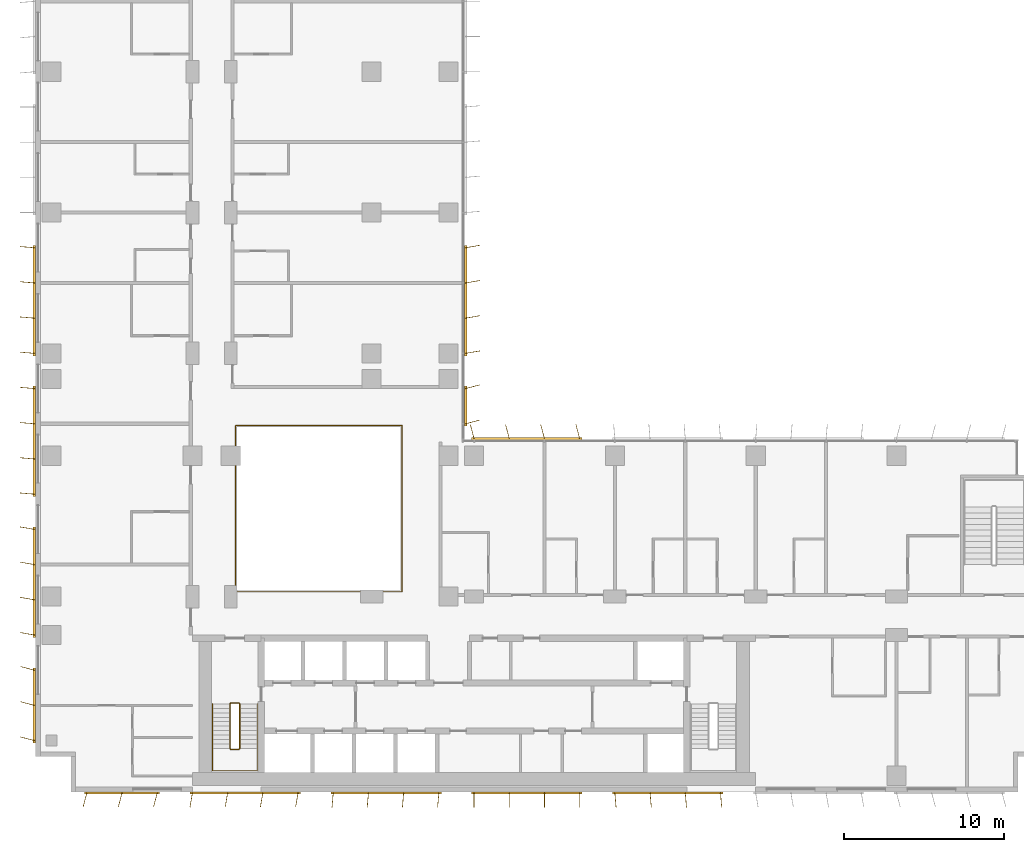
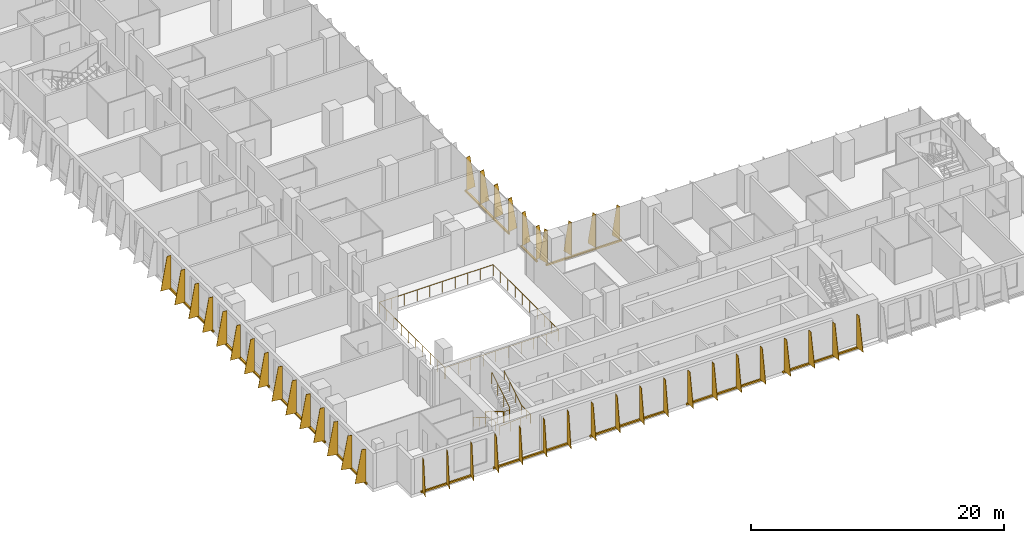
# One storey, part 20 of 23: 12 shading devices, 3 railings.
"""IFC4 building model written with IfcOpenShell, lengths in metres."""

from ifc_helpers import new_model, si_unit, direction, frame, origin, origin_2d, place, context, subcontext, project, spatial, polyline, rectangle, circle, outline, extrude, source, transform, mapped, material, layer, layer_set, type_object, element, save


model = new_model("IFC4")

# Units and contexts
model_context = context("Model", 3, precision=1e-05, world=origin(), true_north=direction((0.0, 1.0)))
body_context = subcontext(model_context, "Body", "Model", "MODEL_VIEW")
ifc_project = project(units=[si_unit("LENGTHUNIT", "METRE"), si_unit("AREAUNIT", "SQUARE_METRE"), si_unit("VOLUMEUNIT", "CUBIC_METRE"), si_unit("PLANEANGLEUNIT", "RADIAN"), si_unit("MASSUNIT", "GRAM", prefix="KILO")], contexts=[model_context])

# Site, building, storey
site_placement = place(None, origin())
site = spatial("IfcSite", under=ifc_project, at=site_placement, CompositionType="ELEMENT")
building_placement = place(site_placement, origin())
building = spatial("IfcBuilding", under=site, at=building_placement, Name="Kemantara Hotel Tower", CompositionType="ELEMENT")
storey_placement = place(building_placement, frame((0.0, 0.0, 138.300048828125)))
storey = spatial("IfcBuildingStorey", under=building, at=storey_placement, Name="L33", CompositionType="ELEMENT", Elevation=138.300048828125)

# Railings
ifc_material_1 = material(Name="Stainless steel and laminated glass balustrade", Category="steel")
railing_type_1 = type_object("IfcRailingType", Name="ATRIUM GUARD 1100", PredefinedType="GUARDRAIL", material=ifc_material_1)
railing_1_placement = place(storey_placement, frame((12.56005859375, 12.5, 0.0)))
element("IfcRailing", 1, at=railing_1_placement, inside=storey, type_object=railing_type_1, Name="ATRIUM GUARD L33", PredefinedType="GUARDRAIL", context=body_context, shape_type="SweptSolid", body=[
    extrude(circle(Radius=0.02490234375, at=origin_2d()), frame((0.0, 0.0, 1.0751953125), z_axis=(1.0, 0.0, 0.0), x_axis=(0.0, 1.0, 0.0)), (0.0, 0.0, 1.0), 10.33984375),
    extrude(circle(Radius=0.02490234375, at=origin_2d()), frame((10.33984375, 0.0, 1.0751953125), z_axis=(0.0, 1.0, 0.0), x_axis=(-1.0, 0.0, 0.0)), (0.0, 0.0, 1.0), 10.39990234375),
    extrude(circle(Radius=0.02490234375, at=origin_2d()), frame((10.33984375, 10.39990234375, 1.0751953125), z_axis=(-1.0, 0.0, 0.0), x_axis=(0.0, -1.0, 0.0)), (0.0, 0.0, 1.0), 10.39990234375),
    extrude(circle(Radius=0.02490234375, at=origin_2d()), frame((-0.06005859375, 10.39990234375, 1.0751953125), z_axis=(0.0, -1.0, 0.0), x_axis=(1.0, 0.0, 0.0)), (0.0, 0.0, 1.0), 10.39990234375),
    extrude(circle(Radius=0.02001953125, at=origin_2d()), origin(), (0.0, 0.0, 1.0), 1.050048828125),
    extrude(circle(Radius=0.02001953125, at=origin_2d()), frame((1.14892578125, 0.0, 0.0)), (0.0, 0.0, 1.0), 1.050048828125),
    extrude(circle(Radius=0.02001953125, at=origin_2d()), frame((2.2978515625, 0.0, 0.0)), (0.0, 0.0, 1.0), 1.050048828125),
    extrude(circle(Radius=0.02001953125, at=origin_2d()), frame((3.446533203125, 0.0, 0.0)), (0.0, 0.0, 1.0), 1.050048828125),
    extrude(circle(Radius=0.02001953125, at=origin_2d()), frame((4.595458984375, 0.0, 0.0)), (0.0, 0.0, 1.0), 1.050048828125),
    extrude(circle(Radius=0.02001953125, at=origin_2d()), frame((5.744384765625, 0.0, 0.0)), (0.0, 0.0, 1.0), 1.050048828125),
    extrude(circle(Radius=0.02001953125, at=origin_2d()), frame((6.893310546875, 0.0, 0.0)), (0.0, 0.0, 1.0), 1.050048828125),
    extrude(circle(Radius=0.02001953125, at=origin_2d()), frame((8.0419921875, 0.0, 0.0)), (0.0, 0.0, 1.0), 1.050048828125),
    extrude(circle(Radius=0.02001953125, at=origin_2d()), frame((9.19091796875, 0.0, 0.0)), (0.0, 0.0, 1.0), 1.050048828125),
    extrude(circle(Radius=0.02001953125, at=origin_2d()), frame((10.33984375, 0.0, 0.0)), (0.0, 0.0, 1.0), 1.050048828125),
    extrude(circle(Radius=0.02001953125, at=origin_2d()), frame((10.33984375, 1.155517578125, 0.0)), (0.0, 0.0, 1.0), 1.050048828125),
    extrude(circle(Radius=0.02001953125, at=origin_2d()), frame((10.33984375, 2.31103515625, 0.0)), (0.0, 0.0, 1.0), 1.050048828125),
    extrude(circle(Radius=0.02001953125, at=origin_2d()), frame((10.33984375, 3.466552734375, 0.0)), (0.0, 0.0, 1.0), 1.050048828125),
    extrude(circle(Radius=0.02001953125, at=origin_2d()), frame((10.33984375, 4.6220703125, 0.0)), (0.0, 0.0, 1.0), 1.050048828125),
    extrude(circle(Radius=0.02001953125, at=origin_2d()), frame((10.33984375, 5.77783203125, 0.0)), (0.0, 0.0, 1.0), 1.050048828125),
    extrude(circle(Radius=0.02001953125, at=origin_2d()), frame((10.33984375, 6.933349609375, 0.0)), (0.0, 0.0, 1.0), 1.050048828125),
    extrude(circle(Radius=0.02001953125, at=origin_2d()), frame((10.33984375, 8.0888671875, 0.0)), (0.0, 0.0, 1.0), 1.050048828125),
    extrude(circle(Radius=0.02001953125, at=origin_2d()), frame((10.33984375, 9.244384765625, 0.0)), (0.0, 0.0, 1.0), 1.050048828125),
    extrude(circle(Radius=0.02001953125, at=origin_2d()), frame((10.33984375, 10.39990234375, 0.0)), (0.0, 0.0, 1.0), 1.050048828125),
    extrude(circle(Radius=0.02001953125, at=origin_2d()), frame((9.184326171875, 10.39990234375, 0.0)), (0.0, 0.0, 1.0), 1.050048828125),
    extrude(circle(Radius=0.02001953125, at=origin_2d()), frame((8.02880859375, 10.39990234375, 0.0)), (0.0, 0.0, 1.0), 1.050048828125),
    extrude(circle(Radius=0.02001953125, at=origin_2d()), frame((6.873291015625, 10.39990234375, 0.0)), (0.0, 0.0, 1.0), 1.050048828125),
    extrude(circle(Radius=0.02001953125, at=origin_2d()), frame((5.7177734375, 10.39990234375, 0.0)), (0.0, 0.0, 1.0), 1.050048828125),
    extrude(circle(Radius=0.02001953125, at=origin_2d()), frame((4.56201171875, 10.39990234375, 0.0)), (0.0, 0.0, 1.0), 1.050048828125),
    extrude(circle(Radius=0.02001953125, at=origin_2d()), frame((3.406494140625, 10.39990234375, 0.0)), (0.0, 0.0, 1.0), 1.050048828125),
    extrude(circle(Radius=0.02001953125, at=origin_2d()), frame((2.2509765625, 10.39990234375, 0.0)), (0.0, 0.0, 1.0), 1.050048828125),
    extrude(circle(Radius=0.02001953125, at=origin_2d()), frame((1.095458984375, 10.39990234375, 0.0)), (0.0, 0.0, 1.0), 1.050048828125),
    extrude(circle(Radius=0.02001953125, at=origin_2d()), frame((-0.06005859375, 10.39990234375, 0.0)), (0.0, 0.0, 1.0), 1.050048828125),
    extrude(circle(Radius=0.02001953125, at=origin_2d()), frame((-0.06005859375, 9.244384765625, 0.0)), (0.0, 0.0, 1.0), 1.050048828125),
    extrude(circle(Radius=0.02001953125, at=origin_2d()), frame((-0.06005859375, 8.0888671875, 0.0)), (0.0, 0.0, 1.0), 1.050048828125),
    extrude(circle(Radius=0.02001953125, at=origin_2d()), frame((-0.06005859375, 6.933349609375, 0.0)), (0.0, 0.0, 1.0), 1.050048828125),
    extrude(circle(Radius=0.02001953125, at=origin_2d()), frame((-0.06005859375, 5.77783203125, 0.0)), (0.0, 0.0, 1.0), 1.050048828125),
    extrude(circle(Radius=0.02001953125, at=origin_2d()), frame((-0.06005859375, 4.6220703125, 0.0)), (0.0, 0.0, 1.0), 1.050048828125),
    extrude(circle(Radius=0.02001953125, at=origin_2d()), frame((-0.06005859375, 3.466552734375, 0.0)), (0.0, 0.0, 1.0), 1.050048828125),
    extrude(circle(Radius=0.02001953125, at=origin_2d()), frame((-0.06005859375, 2.31103515625, 0.0)), (0.0, 0.0, 1.0), 1.050048828125),
    extrude(circle(Radius=0.02001953125, at=origin_2d()), frame((-0.06005859375, 1.155517578125, 0.0)), (0.0, 0.0, 1.0), 1.050048828125),
    extrude(circle(Radius=0.02001953125, at=origin_2d()), frame((-0.06005859375, 0.0, 0.0)), (0.0, 0.0, 1.0), 1.050048828125),
])
ifc_material_2 = material(Name="Stainless steel balustrade", Category="steel")
railing_type_2 = type_object("IfcRailingType", Name="Stair guard 1100 mm", PredefinedType="GUARDRAIL", material=ifc_material_2)
railing_2_placement = place(storey_placement, frame((12.75, 5.5, 3.699951171875)))
element("IfcRailing", 2, at=railing_2_placement, inside=storey, type_object=railing_type_2, Name="L33 ST1 stair guard 1", PredefinedType="GUARDRAIL", context=body_context, shape_type="SweptSolid", body=[
    extrude(circle(Radius=0.02392578125, at=origin_2d()), frame((0.0, 0.0, 1.076171875), z_axis=(0.0, -0.857242210791, -0.514913383045), x_axis=(1.0, 0.0, 0.0)), (0.0, 0.0, 1.0), 3.266357421875),
    extrude(circle(Radius=0.02392578125, at=origin_2d()), frame((0.0, -2.800048828125, -0.60595703125), z_axis=(-0.274243871929, -0.274243871929, -0.92172696468), x_axis=(0.707106781187, -0.707106781187, 0.0)), (0.0, 0.0, 1.0), 0.1826171875),
    extrude(circle(Radius=0.02392578125, at=origin_2d()), frame((-0.050048828125, -2.85009765625, -0.77392578125), z_axis=(-1.0, 0.0, 0.0), x_axis=(0.0, -1.0, 0.0)), (0.0, 0.0, 1.0), 0.5),
    extrude(circle(Radius=0.02392578125, at=origin_2d()), frame((-0.550048828125, -2.85009765625, -0.77392578125), z_axis=(-0.707106781187, 0.707106781187, 0.0), x_axis=(-0.707106781187, -0.707106781187, 0.0)), (0.0, 0.0, 1.0), 0.07080078125),
    extrude(circle(Radius=0.02392578125, at=origin_2d()), frame((-0.60009765625, -2.800048828125, -0.77392578125), z_axis=(0.0, 0.857275202839, -0.514858452973), x_axis=(-1.0, 0.0, 0.0)), (0.0, 0.0, 1.0), 3.26611328125),
    extrude(circle(Radius=0.02392578125, at=origin_2d()), frame((-0.60009765625, 0.0, -2.45556640625), z_axis=(0.274243871929, 0.274243871929, -0.92172696468), x_axis=(-0.707106781187, 0.707106781187, 0.0)), (0.0, 0.0, 1.0), 0.1826171875),
    extrude(circle(Radius=0.02392578125, at=origin_2d()), frame((-0.550048828125, 0.050048828125, -2.6240234375), z_axis=(1.0, 0.0, 0.0), x_axis=(0.0, 1.0, 0.0)), (0.0, 0.0, 1.0), 0.5),
    extrude(circle(Radius=0.02099609375, at=origin_2d()), origin(), (0.0, 0.0, 1.0), 1.052001953125),
    extrude(circle(Radius=0.02099609375, at=origin_2d()), frame((0.0, -0.933349609375, -0.560546875)), (0.0, 0.0, 1.0), 1.052001953125),
    extrude(circle(Radius=0.02099609375, at=origin_2d()), frame((0.0, -1.86669921875, -1.121337890625)), (0.0, 0.0, 1.0), 1.052001953125),
    extrude(circle(Radius=0.02099609375, at=origin_2d()), frame((0.0, -2.800048828125, -1.681884765625)), (0.0, 0.0, 1.0), 1.052001953125),
    extrude(circle(Radius=0.02099609375, at=origin_2d()), frame((-0.050048828125, -2.85009765625, -1.85009765625)), (0.0, 0.0, 1.0), 1.052001953125),
    extrude(circle(Radius=0.02099609375, at=origin_2d()), frame((-0.550048828125, -2.85009765625, -1.85009765625)), (0.0, 0.0, 1.0), 1.052001953125),
    extrude(circle(Radius=0.02099609375, at=origin_2d()), frame((-0.60009765625, -2.800048828125, -1.85009765625)), (0.0, 0.0, 1.0), 1.052001953125),
    extrude(circle(Radius=0.02099609375, at=origin_2d()), frame((-0.60009765625, -1.86669921875, -2.41064453125)), (0.0, 0.0, 1.0), 1.052001953125),
    extrude(circle(Radius=0.02099609375, at=origin_2d()), frame((-0.60009765625, -0.933349609375, -2.97119140625)), (0.0, 0.0, 1.0), 1.052001953125),
    extrude(circle(Radius=0.02099609375, at=origin_2d()), frame((-0.60009765625, 0.0, -3.53173828125)), (0.0, 0.0, 1.0), 1.052001953125),
    extrude(circle(Radius=0.02099609375, at=origin_2d()), frame((-0.550048828125, 0.050048828125, -3.699951171875)), (0.0, 0.0, 1.0), 1.052001953125),
    extrude(circle(Radius=0.02099609375, at=origin_2d()), frame((-0.050048828125, 0.050048828125, -3.699951171875)), (0.0, 0.0, 1.0), 1.052001953125),
])
railing_type_3 = type_object("IfcRailingType", Name="Stair handrail 900 mm", PredefinedType="HANDRAIL", material=ifc_material_2)
railing_3_placement = place(storey_placement, frame((11.050048828125, 5.5, 0.168212890625)))
element("IfcRailing", 3, at=railing_3_placement, inside=storey, type_object=railing_type_3, Name="L33 ST1 stair handrail 1", PredefinedType="HANDRAIL", context=body_context, shape_type="SweptSolid", body=[
    extrude(circle(Radius=0.02392578125, at=origin_2d()), frame((0.0, 0.0, 0.8759765625), z_axis=(0.0, -0.857275202839, 0.514858452973), x_axis=(1.0, 0.0, 0.0)), (0.0, 0.0, 1.0), 3.26611328125),
    extrude(circle(Radius=0.02392578125, at=origin_2d()), frame((0.0, -2.800048828125, 2.5576171875), z_axis=(0.0, -1.0, 0.0), x_axis=(1.0, 0.0, 0.0)), (0.0, 0.0, 1.0), 1.3798828125),
    extrude(circle(Radius=0.02392578125, at=origin_2d()), frame((0.0, -4.179931640625, 2.5576171875), z_axis=(0.998200367801, 0.0, 0.059966871865), x_axis=(0.0, 1.0, 0.0)), (0.0, 0.0, 1.0), 2.80517578125),
    extrude(circle(Radius=0.02392578125, at=origin_2d()), frame((2.800048828125, -4.179931640625, 2.7255859375), z_axis=(0.0, 1.0, 0.0), x_axis=(-1.0, 0.0, 0.0)), (0.0, 0.0, 1.0), 1.3798828125),
    extrude(circle(Radius=0.02392578125, at=origin_2d()), frame((2.800048828125, -2.800048828125, 2.7255859375), z_axis=(0.0, 0.857242210791, 0.514913383045), x_axis=(-1.0, 0.0, 0.0)), (0.0, 0.0, 1.0), 3.266357421875),
    extrude(circle(Radius=0.02099609375, at=origin_2d()), origin(), (0.0, 0.0, 1.0), 0.851806640625),
    extrude(circle(Radius=0.02099609375, at=origin_2d()), frame((0.0, -0.933349609375, 0.560546875)), (0.0, 0.0, 1.0), 0.851806640625),
    extrude(circle(Radius=0.02099609375, at=origin_2d()), frame((0.0, -1.86669921875, 1.12109375)), (0.0, 0.0, 1.0), 0.851806640625),
    extrude(circle(Radius=0.02099609375, at=origin_2d()), frame((0.0, -2.800048828125, 1.681640625)), (0.0, 0.0, 1.0), 0.851806640625),
    extrude(circle(Radius=0.02099609375, at=origin_2d()), frame((0.0, -3.489990234375, 1.681640625)), (0.0, 0.0, 1.0), 0.851806640625),
    extrude(circle(Radius=0.02099609375, at=origin_2d()), frame((0.0, -4.179931640625, 1.681640625)), (0.0, 0.0, 1.0), 0.851806640625),
    extrude(circle(Radius=0.02099609375, at=origin_2d()), frame((0.933349609375, -4.179931640625, 1.73779296875)), (0.0, 0.0, 1.0), 0.851806640625),
    extrude(circle(Radius=0.02099609375, at=origin_2d()), frame((1.86669921875, -4.179931640625, 1.793701171875)), (0.0, 0.0, 1.0), 0.851806640625),
    extrude(circle(Radius=0.02099609375, at=origin_2d()), frame((2.800048828125, -4.179931640625, 1.849853515625)), (0.0, 0.0, 1.0), 0.851806640625),
    extrude(circle(Radius=0.02099609375, at=origin_2d()), frame((2.800048828125, -3.489990234375, 1.849853515625)), (0.0, 0.0, 1.0), 0.851806640625),
    extrude(circle(Radius=0.02099609375, at=origin_2d()), frame((2.800048828125, -2.800048828125, 1.849853515625)), (0.0, 0.0, 1.0), 0.851806640625),
    extrude(circle(Radius=0.02099609375, at=origin_2d()), frame((2.800048828125, -1.86669921875, 2.410400390625)), (0.0, 0.0, 1.0), 0.851806640625),
    extrude(circle(Radius=0.02099609375, at=origin_2d()), frame((2.800048828125, -0.933349609375, 2.97119140625)), (0.0, 0.0, 1.0), 0.851806640625),
    extrude(circle(Radius=0.02099609375, at=origin_2d()), frame((2.800048828125, 0.0, 3.53173828125)), (0.0, 0.0, 1.0), 0.851806640625),
])

# Shading devices
ifc_material_3 = material(Name="Perforated aluminium plate 4 mm bronze anodised", Category="aluminium")
ifc_layer_1 = layer(ifc_material_3, 0.0400390625)
ifc_layer_set_1 = layer_set([ifc_layer_1], Name="Perforated aluminium plate 4 mm bronze anodised")
shading_device_type_1 = type_object("IfcShadingDeviceType", Name="SCREEN FIN CASSETTE, 3 BLADES AT -15.0 DEG, 3200 HIGH", PredefinedType="USERDEFINED", material=ifc_layer_set_1)
shared_shape_1 = source(origin(), body_context, "Body", "SweptSolid", [
    extrude(rectangle(XDim=4.699951171875, YDim=0.14990234375, at=origin_2d()), frame((2.199951171875, -0.074951171875, -0.14990234375), z_axis=(0.0, 0.0, 1.0), x_axis=(1.0, 0.0, 0.0)), (0.0, 0.0, 1.0), 0.14990234375),
    extrude(outline(polyline([(0.0, 0.0), (0.89990234375, 0.0), (0.35009765625, 3.199951171875), (0.0, 3.199951171875), (0.0, 0.0)])), frame((0.019287109375, -0.080078125, 0.0), z_axis=(-0.966437683387, 0.256901156343, 0.0), x_axis=(-0.256901156343, -0.966437683387, 0.0)), (0.0, 0.0, 1.0), 0.039794921875),
    extrude(outline(polyline([(0.0, 0.0), (0.89990234375, 0.0), (0.35009765625, 3.199951171875), (0.0, 3.199951171875), (0.0, 0.0)])), frame((2.21923828125, -0.080078125, 0.0), z_axis=(-0.966437683387, 0.256901156343, 0.0), x_axis=(-0.256901156343, -0.966437683387, 0.0)), (0.0, 0.0, 1.0), 0.039794921875),
    extrude(outline(polyline([(0.0, 0.0), (0.89990234375, 0.0), (0.35009765625, 3.199951171875), (0.0, 3.199951171875), (0.0, 0.0)])), frame((4.41943359375, -0.080078125, 0.0), z_axis=(-0.966837822169, 0.255391122837, 0.0), x_axis=(-0.255391122837, -0.966837822169, 0.0)), (0.0, 0.0, 1.0), 0.0400390625),
])
for number, where, z_axis, x_axis, name in (
    (4, (0.0, 7.60009765625, 0.099853515625), (0.0, 0.0, 1.0), (0.0, -1.0, 0.0), "SCREEN FIN CASSETTE L33 T2-R04-9"),
    (5, (3.199951171875, 0.0, 0.099853515625), (0.0, 0.0, 1.0), (1.0, 0.0, 0.0), "SCREEN FIN CASSETTE L33 T2-R07-1"),
):
    element("IfcShadingDevice", number, at=place(storey_placement, frame(where, z_axis=z_axis, x_axis=x_axis)), inside=storey, type_object=shading_device_type_1, Name=name, ObjectType="SCREEN FIN", PredefinedType="USERDEFINED", context=body_context, shape_type="MappedRepresentation", body=[
        mapped(shared_shape_1, transform((0.0, 0.0, 0.0))),
    ])
ifc_layer_2 = layer(ifc_material_3, 0.0400390625)
ifc_layer_set_2 = layer_set([ifc_layer_2], Name="Perforated aluminium plate 4 mm bronze anodised")
shading_device_type_2 = type_object("IfcShadingDeviceType", Name="SCREEN FIN CASSETTE, 4 BLADES AT -10.0 DEG, 3200 HIGH", PredefinedType="USERDEFINED", material=ifc_layer_set_2)
shared_shape_2 = source(origin(), body_context, "Body", "SweptSolid", [
    extrude(rectangle(XDim=6.89990234375, YDim=0.14990234375, at=origin_2d()), frame((3.300048828125, -0.074951171875, -0.14990234375), z_axis=(0.0, 0.0, 1.0), x_axis=(1.0, 0.0, 0.0)), (0.0, 0.0, 1.0), 0.14990234375),
    extrude(outline(polyline([(0.0, 0.0), (0.89990234375, 0.0), (0.35009765625, 3.199951171875), (0.0, 3.199951171875), (0.0, 0.0)])), frame((0.019775390625, -0.078369140625, 0.0), z_axis=(-0.985389793052, 0.170314285219, 0.0), x_axis=(-0.170314285219, -0.985389793052, 0.0)), (0.0, 0.0, 1.0), 0.0400390625),
    extrude(outline(polyline([(0.0, 0.0), (0.89990234375, 0.0), (0.35009765625, 3.199951171875), (0.0, 3.199951171875), (0.0, 0.0)])), frame((2.2197265625, -0.078369140625, 0.0), z_axis=(-0.98521175482, 0.171341174751, 0.0), x_axis=(-0.171341174751, -0.98521175482, 0.0)), (0.0, 0.0, 1.0), 0.039794921875),
    extrude(outline(polyline([(0.0, 0.0), (0.89990234375, 0.0), (0.35009765625, 3.199951171875), (0.0, 3.199951171875), (0.0, 0.0)])), frame((4.419677734375, -0.078369140625, 0.0), z_axis=(-0.98521175482, 0.171341174751, 0.0), x_axis=(-0.171341174751, -0.98521175482, 0.0)), (0.0, 0.0, 1.0), 0.039794921875),
    extrude(outline(polyline([(0.0, 0.0), (0.89990234375, 0.0), (0.35009765625, 3.199951171875), (0.0, 3.199951171875), (0.0, 0.0)])), frame((6.61962890625, -0.078369140625, 0.0), z_axis=(-0.98521175482, 0.171341174751, 0.0), x_axis=(-0.171341174751, -0.98521175482, 0.0)), (0.0, 0.0, 1.0), 0.039794921875),
])
for number, where, z_axis, x_axis, name in (
    (6, (0.0, 16.39990234375, 0.099853515625), (0.0, 0.0, 1.0), (0.0, -1.0, 0.0), "SCREEN FIN CASSETTE L33 T2-R04-8"),
    (7, (9.800048828125, 0.0, 0.099853515625), (0.0, 0.0, 1.0), (1.0, 0.0, 0.0), "SCREEN FIN CASSETTE L33 T2-R07-2"),
):
    element("IfcShadingDevice", number, at=place(storey_placement, frame(where, z_axis=z_axis, x_axis=x_axis)), inside=storey, type_object=shading_device_type_2, Name=name, ObjectType="SCREEN FIN", PredefinedType="USERDEFINED", context=body_context, shape_type="MappedRepresentation", body=[
        mapped(shared_shape_2, transform((0.0, 0.0, 0.0))),
    ])
ifc_layer_3 = layer(ifc_material_3, 0.0400390625)
ifc_layer_set_3 = layer_set([ifc_layer_3], Name="Perforated aluminium plate 4 mm bronze anodised")
shading_device_type_3 = type_object("IfcShadingDeviceType", Name="SCREEN FIN CASSETTE, 4 BLADES AT -5.0 DEG, 3200 HIGH", PredefinedType="USERDEFINED", material=ifc_layer_set_3)
shared_shape_3 = source(origin(), body_context, "Body", "SweptSolid", [
    extrude(rectangle(XDim=6.89990234375, YDim=0.14990234375, at=origin_2d()), frame((3.300048828125, -0.074951171875, -0.14990234375), z_axis=(0.0, 0.0, 1.0), x_axis=(1.0, 0.0, 0.0)), (0.0, 0.0, 1.0), 0.14990234375),
    extrude(outline(polyline([(0.0, 0.0), (0.89990234375, 0.0), (0.35009765625, 3.199951171875), (0.0, 3.199951171875), (0.0, 0.0)])), frame((0.02001953125, -0.07666015625, 0.0), z_axis=(-0.996376129781, 0.085056498884, 0.0), x_axis=(-0.085056498884, -0.996376129781, 0.0)), (0.0, 0.0, 1.0), 0.040283203125),
    extrude(outline(polyline([(0.0, 0.0), (0.89990234375, 0.0), (0.35009765625, 3.199951171875), (0.0, 3.199951171875), (0.0, 0.0)])), frame((2.219970703125, -0.07666015625, 0.0), z_axis=(-0.996331773833, 0.085574508182, 0.0), x_axis=(-0.085574508182, -0.996331773833, 0.0)), (0.0, 0.0, 1.0), 0.0400390625),
    extrude(outline(polyline([(0.0, 0.0), (0.89990234375, 0.0), (0.35009765625, 3.199951171875), (0.0, 3.199951171875), (0.0, 0.0)])), frame((4.419921875, -0.07666015625, 0.0), z_axis=(-0.996331773833, 0.085574508182, 0.0), x_axis=(-0.085574508182, -0.996331773833, 0.0)), (0.0, 0.0, 1.0), 0.0400390625),
    extrude(outline(polyline([(0.0, 0.0), (0.89990234375, 0.0), (0.35009765625, 3.199951171875), (0.0, 3.199951171875), (0.0, 0.0)])), frame((6.619873046875, -0.07666015625, 0.0), z_axis=(-0.996331773833, 0.085574508182, 0.0), x_axis=(-0.085574508182, -0.996331773833, 0.0)), (0.0, 0.0, 1.0), 0.0400390625),
])
for number, where, z_axis, x_axis, name in (
    (8, (0.0, 34.0, 0.099853515625), (0.0, 0.0, 1.0), (0.0, -1.0, 0.0), "SCREEN FIN CASSETTE L33 T2-R04-6"),
    (9, (0.0, 25.199951171875, 0.099853515625), (0.0, 0.0, 1.0), (0.0, -1.0, 0.0), "SCREEN FIN CASSETTE L33 T2-R04-7"),
    (10, (18.60009765625, 0.0, 0.099853515625), (0.0, 0.0, 1.0), (1.0, 0.0, 0.0), "SCREEN FIN CASSETTE L33 T2-R07-3"),
):
    element("IfcShadingDevice", number, at=place(storey_placement, frame(where, z_axis=z_axis, x_axis=x_axis)), inside=storey, type_object=shading_device_type_3, Name=name, ObjectType="SCREEN FIN", PredefinedType="USERDEFINED", context=body_context, shape_type="MappedRepresentation", body=[
        mapped(shared_shape_3, transform((0.0, 0.0, 0.0))),
    ])
ifc_layer_4 = layer(ifc_material_3, 0.0400390625)
ifc_layer_set_4 = layer_set([ifc_layer_4], Name="Perforated aluminium plate 4 mm bronze anodised")
shading_device_type_4 = type_object("IfcShadingDeviceType", Name="SCREEN FIN CASSETTE, 4 BLADES AT +0.0 DEG, 3200 HIGH", PredefinedType="USERDEFINED", material=ifc_layer_set_4)
shared_shape_4 = source(origin(), body_context, "Body", "SweptSolid", [
    extrude(rectangle(XDim=6.89990234375, YDim=0.14990234375, at=origin_2d()), frame((3.300048828125, -0.074951171875, -0.14990234375), z_axis=(0.0, 0.0, 1.0), x_axis=(1.0, 0.0, 0.0)), (0.0, 0.0, 1.0), 0.14990234375),
    extrude(outline(polyline([(0.0, 0.0), (0.89990234375, 0.0), (0.35009765625, 3.199951171875), (0.0, 3.199951171875), (0.0, 0.0)])), frame((0.02001953125, -0.074951171875, 0.0), z_axis=(-1.0, 0.0, 0.0), x_axis=(0.0, -1.0, 0.0)), (0.0, 0.0, 1.0), 0.0400390625),
    extrude(outline(polyline([(0.0, 0.0), (0.89990234375, 0.0), (0.35009765625, 3.199951171875), (0.0, 3.199951171875), (0.0, 0.0)])), frame((2.219970703125, -0.074951171875, 0.0), z_axis=(-1.0, 0.0, 0.0), x_axis=(0.0, -1.0, 0.0)), (0.0, 0.0, 1.0), 0.0400390625),
    extrude(outline(polyline([(0.0, 0.0), (0.89990234375, 0.0), (0.35009765625, 3.199951171875), (0.0, 3.199951171875), (0.0, 0.0)])), frame((4.419921875, -0.074951171875, 0.0), z_axis=(-1.0, 0.0, 0.0), x_axis=(0.0, -1.0, 0.0)), (0.0, 0.0, 1.0), 0.0400390625),
    extrude(outline(polyline([(0.0, 0.0), (0.89990234375, 0.0), (0.35009765625, 3.199951171875), (0.0, 3.199951171875), (0.0, 0.0)])), frame((6.6201171875, -0.074951171875, 0.0), z_axis=(-1.0, 0.0, 0.0), x_axis=(0.0, -1.0, 0.0)), (0.0, 0.0, 1.0), 0.0400390625),
])
shading_device_1_placement = place(storey_placement, frame((27.39990234375, 0.0, 0.099853515625), z_axis=(0.0, 0.0, 1.0), x_axis=(1.0, 0.0, 0.0)))
element("IfcShadingDevice", 11, at=shading_device_1_placement, inside=storey, type_object=shading_device_type_4, Name="SCREEN FIN CASSETTE L33 T2-R07-4", ObjectType="SCREEN FIN", PredefinedType="USERDEFINED", context=body_context, shape_type="MappedRepresentation", body=[
    mapped(shared_shape_4, transform((0.0, 0.0, 0.0))),
])
ifc_layer_5 = layer(ifc_material_3, 0.0400390625)
ifc_layer_set_5 = layer_set([ifc_layer_5], Name="Perforated aluminium plate 4 mm bronze anodised")
shading_device_type_5 = type_object("IfcShadingDeviceType", Name="SCREEN FIN CASSETTE, 4 BLADES AT +5.0 DEG, 3200 HIGH", PredefinedType="USERDEFINED", material=ifc_layer_set_5)
shared_shape_5 = source(origin(), body_context, "Body", "SweptSolid", [
    extrude(rectangle(XDim=6.89990234375, YDim=0.14990234375, at=origin_2d()), frame((3.300048828125, -0.074951171875, -0.14990234375), z_axis=(0.0, 0.0, 1.0), x_axis=(1.0, 0.0, 0.0)), (0.0, 0.0, 1.0), 0.14990234375),
    extrude(outline(polyline([(0.0, 0.0), (0.89990234375, 0.0), (0.35009765625, 3.199951171875), (0.0, 3.199951171875), (0.0, 0.0)])), frame((0.02001953125, -0.0732421875, 0.0), z_axis=(-0.996376129781, -0.085056498884, 0.0), x_axis=(0.085056498884, -0.996376129781, 0.0)), (0.0, 0.0, 1.0), 0.040283203125),
    extrude(outline(polyline([(0.0, 0.0), (0.89990234375, 0.0), (0.35009765625, 3.199951171875), (0.0, 3.199951171875), (0.0, 0.0)])), frame((2.219970703125, -0.0732421875, 0.0), z_axis=(-0.996331773833, -0.085574508182, 0.0), x_axis=(0.085574508182, -0.996331773833, 0.0)), (0.0, 0.0, 1.0), 0.0400390625),
    extrude(outline(polyline([(0.0, 0.0), (0.89990234375, 0.0), (0.35009765625, 3.199951171875), (0.0, 3.199951171875), (0.0, 0.0)])), frame((4.419921875, -0.0732421875, 0.0), z_axis=(-0.996331773833, -0.085574508182, 0.0), x_axis=(0.085574508182, -0.996331773833, 0.0)), (0.0, 0.0, 1.0), 0.0400390625),
    extrude(outline(polyline([(0.0, 0.0), (0.89990234375, 0.0), (0.35009765625, 3.199951171875), (0.0, 3.199951171875), (0.0, 0.0)])), frame((6.619873046875, -0.0732421875, 0.0), z_axis=(-0.996331773833, -0.085574508182, 0.0), x_axis=(0.085574508182, -0.996331773833, 0.0)), (0.0, 0.0, 1.0), 0.0400390625),
])
shading_device_2_placement = place(storey_placement, frame((36.199951171875, 0.0, 0.099853515625), z_axis=(0.0, 0.0, 1.0), x_axis=(1.0, 0.0, 0.0)))
element("IfcShadingDevice", 12, at=shading_device_2_placement, inside=storey, type_object=shading_device_type_5, Name="SCREEN FIN CASSETTE L33 T2-R07-5", ObjectType="SCREEN FIN", PredefinedType="USERDEFINED", context=body_context, shape_type="MappedRepresentation", body=[
    mapped(shared_shape_5, transform((0.0, 0.0, 0.0))),
])
ifc_layer_6 = layer(ifc_material_3, 0.0400390625)
ifc_layer_set_6 = layer_set([ifc_layer_6], Name="Perforated aluminium plate 4 mm bronze anodised")
shading_device_type_6 = type_object("IfcShadingDeviceType", Name="SCREEN FIN CASSETTE, 4 BLADES AT +10.0 DEG, 3200 HIGH", PredefinedType="USERDEFINED", material=ifc_layer_set_6)
shared_shape_6 = source(origin(), body_context, "Body", "SweptSolid", [
    extrude(rectangle(XDim=6.89990234375, YDim=0.14990234375, at=origin_2d()), frame((3.300048828125, -0.074951171875, -0.14990234375), z_axis=(0.0, 0.0, 1.0), x_axis=(1.0, 0.0, 0.0)), (0.0, 0.0, 1.0), 0.14990234375),
    extrude(outline(polyline([(0.0, 0.0), (0.89990234375, 0.0), (0.35009765625, 3.199951171875), (0.0, 3.199951171875), (0.0, 0.0)])), frame((0.019775390625, -0.071533203125, 0.0), z_axis=(-0.985389793052, -0.170314285219, 0.0), x_axis=(0.170314285219, -0.985389793052, 0.0)), (0.0, 0.0, 1.0), 0.0400390625),
    extrude(outline(polyline([(0.0, 0.0), (0.89990234375, 0.0), (0.35009765625, 3.199951171875), (0.0, 3.199951171875), (0.0, 0.0)])), frame((2.2197265625, -0.071533203125, 0.0), z_axis=(-0.98521175482, -0.171341174751, 0.0), x_axis=(0.171341174751, -0.98521175482, 0.0)), (0.0, 0.0, 1.0), 0.039794921875),
    extrude(outline(polyline([(0.0, 0.0), (0.89990234375, 0.0), (0.35009765625, 3.199951171875), (0.0, 3.199951171875), (0.0, 0.0)])), frame((4.419677734375, -0.071533203125, 0.0), z_axis=(-0.98521175482, -0.171341174751, 0.0), x_axis=(0.171341174751, -0.98521175482, 0.0)), (0.0, 0.0, 1.0), 0.039794921875),
    extrude(outline(polyline([(0.0, 0.0), (0.89990234375, 0.0), (0.35009765625, 3.199951171875), (0.0, 3.199951171875), (0.0, 0.0)])), frame((6.61962890625, -0.071533203125, 0.0), z_axis=(-0.98521175482, -0.171341174751, 0.0), x_axis=(0.171341174751, -0.98521175482, 0.0)), (0.0, 0.0, 1.0), 0.039794921875),
])
shading_device_3_placement = place(storey_placement, frame((26.800048828125, 27.39990234375, 0.099853515625), z_axis=(0.0, 0.0, 1.0), x_axis=(0.0, 1.0, 0.0)))
element("IfcShadingDevice", 13, at=shading_device_3_placement, inside=storey, type_object=shading_device_type_6, Name="SCREEN FIN CASSETTE L33 T2-R14-2", ObjectType="SCREEN FIN", PredefinedType="USERDEFINED", context=body_context, shape_type="MappedRepresentation", body=[
    mapped(shared_shape_6, transform((0.0, 0.0, 0.0))),
])
ifc_layer_7 = layer(ifc_material_3, 0.0400390625)
ifc_layer_set_7 = layer_set([ifc_layer_7], Name="Perforated aluminium plate 4 mm bronze anodised")
shading_device_type_7 = type_object("IfcShadingDeviceType", Name="SCREEN FIN CASSETTE, 4 BLADES AT +15.0 DEG, 3200 HIGH", PredefinedType="USERDEFINED", material=ifc_layer_set_7)
shared_shape_7 = source(origin(), body_context, "Body", "SweptSolid", [
    extrude(rectangle(XDim=6.89990234375, YDim=0.14990234375, at=origin_2d()), frame((3.300048828125, -0.074951171875, -0.14990234375), z_axis=(0.0, 0.0, 1.0), x_axis=(1.0, 0.0, 0.0)), (0.0, 0.0, 1.0), 0.14990234375),
    extrude(outline(polyline([(0.0, 0.0), (0.89990234375, 0.0), (0.35009765625, 3.199951171875), (0.0, 3.199951171875), (0.0, 0.0)])), frame((0.019287109375, -0.06982421875, 0.0), z_axis=(-0.966437683387, -0.256901156343, 0.0), x_axis=(0.256901156343, -0.966437683387, 0.0)), (0.0, 0.0, 1.0), 0.039794921875),
    extrude(outline(polyline([(0.0, 0.0), (0.89990234375, 0.0), (0.35009765625, 3.199951171875), (0.0, 3.199951171875), (0.0, 0.0)])), frame((2.21923828125, -0.06982421875, 0.0), z_axis=(-0.966437683387, -0.256901156343, 0.0), x_axis=(0.256901156343, -0.966437683387, 0.0)), (0.0, 0.0, 1.0), 0.039794921875),
    extrude(outline(polyline([(0.0, 0.0), (0.89990234375, 0.0), (0.35009765625, 3.199951171875), (0.0, 3.199951171875), (0.0, 0.0)])), frame((4.41943359375, -0.06982421875, 0.0), z_axis=(-0.966837822169, -0.255391122837, 0.0), x_axis=(0.255391122837, -0.966837822169, 0.0)), (0.0, 0.0, 1.0), 0.0400390625),
    extrude(outline(polyline([(0.0, 0.0), (0.89990234375, 0.0), (0.35009765625, 3.199951171875), (0.0, 3.199951171875), (0.0, 0.0)])), frame((6.619384765625, -0.06982421875, 0.0), z_axis=(-0.966837822169, -0.255391122837, 0.0), x_axis=(0.255391122837, -0.966837822169, 0.0)), (0.0, 0.0, 1.0), 0.0400390625),
])
shading_device_4_placement = place(storey_placement, frame((34.0, 22.0, 0.099853515625), z_axis=(0.0, 0.0, 1.0), x_axis=(-1.0, 0.0, 0.0)))
element("IfcShadingDevice", 14, at=shading_device_4_placement, inside=storey, type_object=shading_device_type_7, Name="SCREEN FIN CASSETTE L33 T2-R13-4", ObjectType="SCREEN FIN", PredefinedType="USERDEFINED", context=body_context, shape_type="MappedRepresentation", body=[
    mapped(shared_shape_7, transform((0.0, 0.0, 0.0))),
])
ifc_layer_8 = layer(ifc_material_3, 0.0400390625)
ifc_layer_set_8 = layer_set([ifc_layer_8], Name="Perforated aluminium plate 4 mm bronze anodised")
shading_device_type_8 = type_object("IfcShadingDeviceType", Name="SCREEN FIN CASSETTE, 2 BLADES AT +15.0 DEG, 3200 HIGH", PredefinedType="USERDEFINED", material=ifc_layer_set_8)
shared_shape_8 = source(origin(), body_context, "Body", "SweptSolid", [
    extrude(rectangle(XDim=2.5, YDim=0.14990234375, at=origin_2d()), frame((1.10009765625, -0.074951171875, -0.14990234375), z_axis=(0.0, 0.0, 1.0), x_axis=(1.0, 0.0, 0.0)), (0.0, 0.0, 1.0), 0.14990234375),
    extrude(outline(polyline([(0.0, 0.0), (0.89990234375, 0.0), (0.35009765625, 3.199951171875), (0.0, 3.199951171875), (0.0, 0.0)])), frame((0.019287109375, -0.06982421875, 0.0), z_axis=(-0.966437683387, -0.256901156343, 0.0), x_axis=(0.256901156343, -0.966437683387, 0.0)), (0.0, 0.0, 1.0), 0.039794921875),
    extrude(outline(polyline([(0.0, 0.0), (0.89990234375, 0.0), (0.35009765625, 3.199951171875), (0.0, 3.199951171875), (0.0, 0.0)])), frame((2.21923828125, -0.06982421875, 0.0), z_axis=(-0.966437683387, -0.256901156343, 0.0), x_axis=(0.256901156343, -0.966437683387, 0.0)), (0.0, 0.0, 1.0), 0.039794921875),
])
shading_device_5_placement = place(storey_placement, frame((26.800048828125, 23.0, 0.099853515625), z_axis=(0.0, 0.0, 1.0), x_axis=(0.0, 1.0, 0.0)))
element("IfcShadingDevice", 15, at=shading_device_5_placement, inside=storey, type_object=shading_device_type_8, Name="SCREEN FIN CASSETTE L33 T2-R14-1", ObjectType="SCREEN FIN", PredefinedType="USERDEFINED", context=body_context, shape_type="MappedRepresentation", body=[
    mapped(shared_shape_8, transform((0.0, 0.0, 0.0))),
])

save(model, "model.ifc")
